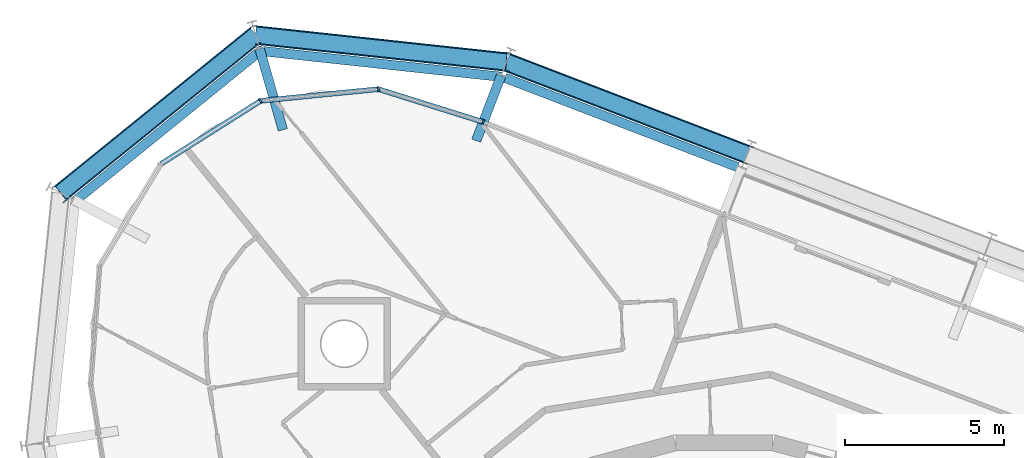
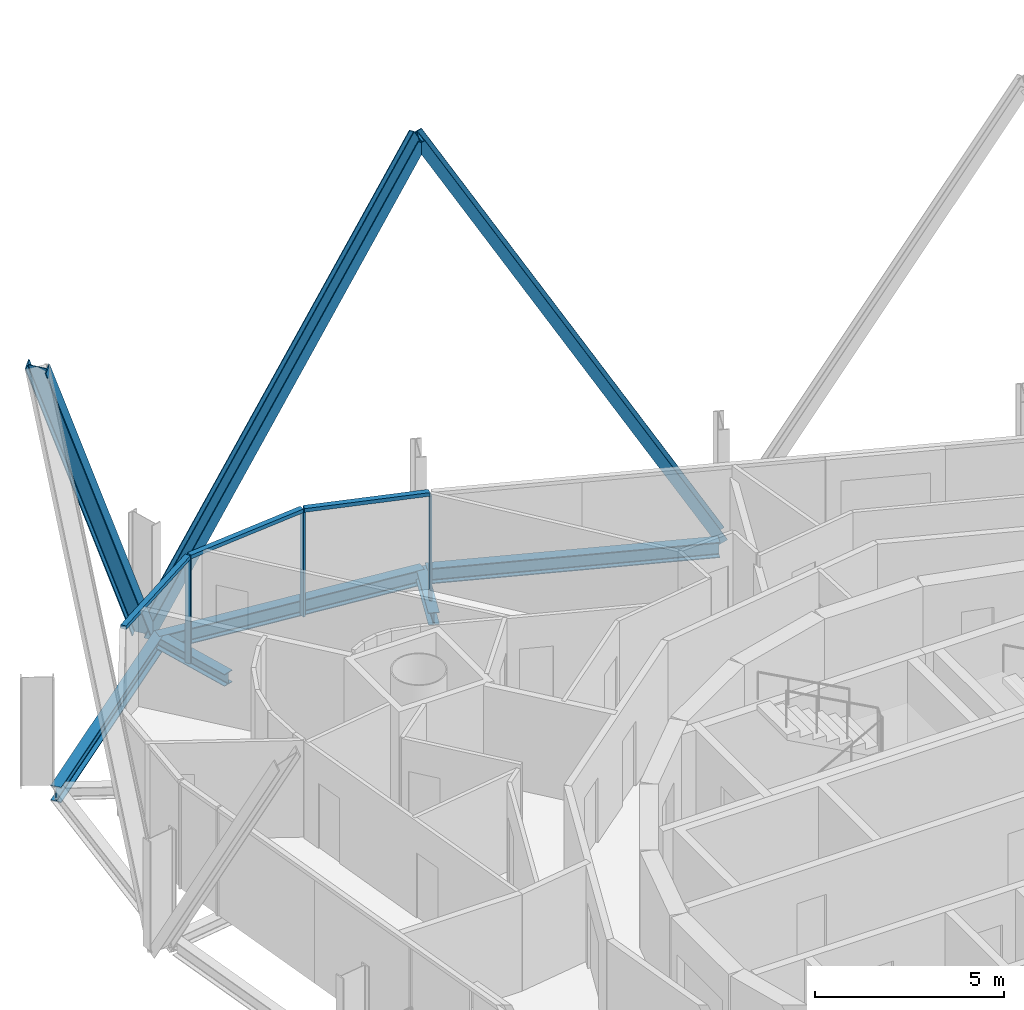
# One storey, part 8 of 18: 9 members, 5 beams, 1 element without a shape of its own.
"""IFC4 building model written with IfcOpenShell, lengths in metres."""

from ifc_helpers import new_model, si_unit, direction, frame, origin, origin_2d, place, context, subcontext, project, spatial, rectangle, i_section, extrude, material, layer, layer_set, material_profile, profile_set, type_object, element, aggregate, save


model = new_model("IFC4")

# Units and contexts
model_context = context("Model", 3, precision=1e-05, world=origin(), true_north=direction((0.0, 1.0)))
body_context = subcontext(model_context, "Body", "Model", "MODEL_VIEW")
ifc_project = project(units=[si_unit("LENGTHUNIT", "METRE"), si_unit("AREAUNIT", "SQUARE_METRE"), si_unit("VOLUMEUNIT", "CUBIC_METRE"), si_unit("PLANEANGLEUNIT", "RADIAN"), si_unit("MASSUNIT", "GRAM", prefix="KILO")], contexts=[model_context])

# Site, building, storey
site_placement = place(None, origin())
site = spatial("IfcSite", under=ifc_project, at=site_placement, CompositionType="ELEMENT")
building_placement = place(site_placement, origin())
building = spatial("IfcBuilding", under=site, at=building_placement, Name="Spindle Arch Residences", CompositionType="ELEMENT")
storey_placement = place(building_placement, frame((0.0, 0.0, 277.39990234375)))
storey = spatial("IfcBuildingStorey", under=building, at=storey_placement, Name="L71", CompositionType="ELEMENT", Elevation=277.39990234375)

# Curtain wall, members
ifc_material_1 = material(Name="Aluminium bronze unitised frame with tinted glass", Category="aluminium")
ifc_layer = layer(ifc_material_1, 0.159912109375)
ifc_layer_set = layer_set([ifc_layer], Name="CW-D corner wall on the fillet arcs")
curtain_wall_type = type_object("IfcCurtainWallType", Name="CW-D corner wall on the fillet arcs", PredefinedType="NOTDEFINED", material=ifc_layer_set)
curtain_wall_placement = place(storey_placement, origin())
curtain_wall = element("IfcCurtainWall", 1, at=curtain_wall_placement, inside=storey, type_object=curtain_wall_type, Name="CW-D L71 run 3", PredefinedType="NOTDEFINED")
ifc_material_2 = material(Name="Aluminium bronze anodised mullion", Category="aluminium")
ifc_material_profile_1 = material_profile(ifc_material_2, rectangle(XDim=0.159912109375, YDim=0.06005859375, at=origin_2d()), Name="MU 60x160")
ifc_profile_set_1 = profile_set([ifc_material_profile_1], Name="Aluminium bronze anodised mullion")
member_type_1 = type_object("IfcMemberType", Name="Bronze mullion 60x160", PredefinedType="MULLION", material=ifc_profile_set_1)
member_1_placement = place(storey_placement, frame((-7.577880859375, 21.73583984375, -0.3798828125), z_axis=(0.0, 0.0, 1.0), x_axis=(-0.298802665594, -0.954314920262, 0.0)))
member_1 = element("IfcMember", 2, at=member_1_placement, type_object=member_type_1, Name="CW-D mullion 00", PredefinedType="MULLION", context=body_context, shape_type="SweptSolid", body=[
    extrude(rectangle(XDim=0.159912109375, YDim=0.06005859375, at=origin_2d()), origin(), (0.0, 0.0, 1.0), 3.3798828125),
])
member_2_placement = place(storey_placement, frame((-10.874755859375, 22.768310546875, -0.3798828125), z_axis=(0.0, 0.0, 1.0), x_axis=(0.098740832762, -0.995113183485, 0.0)))
member_2 = element("IfcMember", 3, at=member_2_placement, type_object=member_type_1, Name="CW-D mullion 01", PredefinedType="MULLION", context=body_context, shape_type="SweptSolid", body=[
    extrude(rectangle(XDim=0.159912109375, YDim=0.06005859375, at=origin_2d()), origin(), (0.0, 0.0, 1.0), 3.3798828125),
])
member_3_placement = place(storey_placement, frame((-14.58349609375, 22.400390625, -0.3798828125), z_axis=(0.0, 0.0, 1.0), x_axis=(0.534844015322, -0.844950814707, 0.0)))
member_3 = element("IfcMember", 4, at=member_3_placement, type_object=member_type_1, Name="CW-D mullion 02", PredefinedType="MULLION", context=body_context, shape_type="SweptSolid", body=[
    extrude(rectangle(XDim=0.159912109375, YDim=0.06005859375, at=origin_2d()), origin(), (0.0, 0.0, 1.0), 3.3798828125),
])
ifc_material_3 = material(Name="Aluminium bronze anodised transom", Category="aluminium")
ifc_material_profile_2 = material_profile(ifc_material_3, rectangle(XDim=0.159912109375, YDim=0.1201171875, at=origin_2d()), Name="TR 120x160")
ifc_profile_set_2 = profile_set([ifc_material_profile_2], Name="Aluminium bronze anodised transom")
member_type_2 = type_object("IfcMemberType", Name="Bronze transom 120x160", PredefinedType="USERDEFINED", material=ifc_profile_set_2)
member_4_placement = place(storey_placement, frame((-7.6064453125, 21.744873046875, 3.06005859375), z_axis=(-0.95431347792, 0.298807272099, 0.0), x_axis=(-0.298807272099, -0.95431347792, 0.0)))
member_4 = element("IfcMember", 5, at=member_4_placement, type_object=member_type_2, Name="CW-D transom 00", ObjectType="TRANSOM", PredefinedType="USERDEFINED", context=body_context, shape_type="SweptSolid", body=[
    extrude(rectangle(XDim=0.159912109375, YDim=0.1201171875, at=origin_2d()), origin(), (0.0, 0.0, 1.0), 3.394775390625),
])
member_5_placement = place(storey_placement, frame((-10.90478515625, 22.765380859375, 3.06005859375), z_axis=(-0.99511271598, -0.098745544182, 0.0), x_axis=(0.098745544182, -0.99511271598, 0.0)))
member_5 = element("IfcMember", 6, at=member_5_placement, type_object=member_type_2, Name="CW-D transom 01", ObjectType="TRANSOM", PredefinedType="USERDEFINED", context=body_context, shape_type="SweptSolid", body=[
    extrude(rectangle(XDim=0.159912109375, YDim=0.1201171875, at=origin_2d()), origin(), (0.0, 0.0, 1.0), 3.66650390625),
])
member_6_placement = place(storey_placement, frame((-14.608642578125, 22.38427734375, 3.06005859375), z_axis=(-0.844958488621, -0.53483189182, 0.0), x_axis=(0.53483189182, -0.844958488621, 0.0)))
member_6 = element("IfcMember", 7, at=member_6_placement, type_object=member_type_2, Name="CW-D transom 02", ObjectType="TRANSOM", PredefinedType="USERDEFINED", context=body_context, shape_type="SweptSolid", body=[
    extrude(rectangle(XDim=0.159912109375, YDim=0.1201171875, at=origin_2d()), origin(), (0.0, 0.0, 1.0), 3.6669921875),
])
aggregate(curtain_wall, [member_1, member_4, member_2, member_5, member_3, member_6])

# Members
ifc_material_4 = material(Name="Steel S460ML, intumescent coating R 240", Category="steel")
ifc_material_profile_3 = material_profile(ifc_material_4, i_section(OverallWidth=0.300048828125, OverallDepth=0.60009765625, WebThickness=0.015380859375, FlangeThickness=0.030029296875, FilletRadius=0.027099609375, at=origin_2d()), Name="HEB 600")
ifc_profile_set_3 = profile_set([ifc_material_profile_3], Name="Steel S460ML, intumescent coating R 240")
member_type_3 = type_object("IfcMemberType", Name="Diagrid diagonal HEB 600", PredefinedType="BRACE", material=ifc_profile_set_3)
member_7_placement = place(storey_placement, frame((0.715087890625, 20.71630859375, -0.6298828125), z_axis=(-0.473598267241, 0.181798309146, 0.861773784736), x_axis=(0.804534587734, -0.308833536387, 0.5072927596)))
element("IfcMember", 8, at=member_7_placement, inside=storey, type_object=member_type_3, Name="Diagrid diagonal 7.2.8", PredefinedType="BRACE", context=body_context, shape_type="SweptSolid", body=[
    extrude(i_section(OverallWidth=0.300048828125, OverallDepth=0.60009765625, WebThickness=0.015380859375, FlangeThickness=0.030029296875, FilletRadius=0.027099609375, at=origin_2d()), origin(), (0.0, 0.0, 1.0), 15.982177734375),
])
member_8_placement = place(storey_placement, frame((-14.7373046875, 24.468994140625, -0.6298828125), z_axis=(0.496052123354, -0.053307552432, 0.866654830812), x_axis=(-0.861693510952, 0.092600696284, 0.49890821223)))
element("IfcMember", 9, at=member_8_placement, inside=storey, type_object=member_type_3, Name="Diagrid diagonal 7.2.9", PredefinedType="BRACE", context=body_context, shape_type="SweptSolid", body=[
    extrude(i_section(OverallWidth=0.300048828125, OverallDepth=0.60009765625, WebThickness=0.015380859375, FlangeThickness=0.030029296875, FilletRadius=0.027099609375, at=origin_2d()), origin(), (0.0, 0.0, 1.0), 15.89208984375),
])
member_9_placement = place(storey_placement, frame((-14.7373046875, 24.468994140625, -0.6298828125), z_axis=(-0.386367155483, -0.312864960664, 0.867661188226), x_axis=(0.67430706413, 0.546027399328, 0.497155973963)))
element("IfcMember", 10, at=member_9_placement, inside=storey, type_object=member_type_3, Name="Diagrid diagonal 7.2.10", PredefinedType="BRACE", context=body_context, shape_type="SweptSolid", body=[
    extrude(i_section(OverallWidth=0.300048828125, OverallDepth=0.60009765625, WebThickness=0.015380859375, FlangeThickness=0.030029296875, FilletRadius=0.027099609375, at=origin_2d()), origin(), (0.0, 0.0, 1.0), 15.87353515625),
])

# Beams
ifc_material_5 = material(Name="Steel S460ML, intumescent coating R 120", Category="steel")
ifc_material_profile_4 = material_profile(ifc_material_5, i_section(OverallWidth=0.300048828125, OverallDepth=0.5, WebThickness=0.014404296875, FlangeThickness=0.028076171875, FilletRadius=0.027099609375, at=origin_2d()), Name="HEB 500")
ifc_profile_set_4 = profile_set([ifc_material_profile_4], Name="Steel S460ML, intumescent coating R 120")
beam_type_1 = type_object("IfcBeamType", Name="Exoskeleton edge beam HEB 500", PredefinedType="BEAM", material=ifc_profile_set_4)
beam_1_placement = place(storey_placement, frame((0.421875, 20.314697265625, -0.6298828125), z_axis=(-0.933573929793, 0.358384873579, 0.0), x_axis=(-0.358384873579, -0.933573929793, 0.0)))
element("IfcBeam", 11, at=beam_1_placement, inside=storey, type_object=beam_type_1, Name="Exoskeleton edge beam 8", PredefinedType="BEAM", context=body_context, shape_type="SweptSolid", body=[
    extrude(i_section(OverallWidth=0.300048828125, OverallDepth=0.5, WebThickness=0.014404296875, FlangeThickness=0.028076171875, FilletRadius=0.027099609375, at=origin_2d()), origin(), (0.0, 0.0, 1.0), 7.84765625),
])
beam_2_placement = place(storey_placement, frame((-7.004150390625, 23.156005859375, -0.6298828125), z_axis=(-0.994272602523, 0.106873719275, 0.0), x_axis=(-0.106873719275, -0.994272602523, 0.0)))
element("IfcBeam", 12, at=beam_2_placement, inside=storey, type_object=beam_type_1, Name="Exoskeleton edge beam 9", PredefinedType="BEAM", context=body_context, shape_type="SweptSolid", body=[
    extrude(i_section(OverallWidth=0.300048828125, OverallDepth=0.5, WebThickness=0.014404296875, FlangeThickness=0.028076171875, FilletRadius=0.027099609375, at=origin_2d()), origin(), (0.0, 0.0, 1.0), 7.668701171875),
])
beam_3_placement = place(storey_placement, frame((-14.536376953125, 24.014404296875, -0.6298828125), z_axis=(-0.777131622496, -0.62933809778, 0.0), x_axis=(0.62933809778, -0.777131622496, 0.0)))
element("IfcBeam", 13, at=beam_3_placement, inside=storey, type_object=beam_type_1, Name="Exoskeleton edge beam 10", PredefinedType="BEAM", context=body_context, shape_type="SweptSolid", body=[
    extrude(i_section(OverallWidth=0.300048828125, OverallDepth=0.5, WebThickness=0.014404296875, FlangeThickness=0.028076171875, FilletRadius=0.027099609375, at=origin_2d()), origin(), (0.0, 0.0, 1.0), 7.6318359375),
])
ifc_material_6 = material(Name="Steel S460ML, intumescent coating R 120", Category="steel")
ifc_material_profile_5 = material_profile(ifc_material_6, i_section(OverallWidth=0.300048828125, OverallDepth=0.389892578125, WebThickness=0.010986328125, FlangeThickness=0.01904296875, FilletRadius=0.027099609375, at=origin_2d()), Name="HEA 400")
ifc_profile_set_5 = profile_set([ifc_material_profile_5], Name="Steel S460ML, intumescent coating R 120")
beam_type_2 = type_object("IfcBeamType", Name="Floor outrigger HEA 400", PredefinedType="BEAM", material=ifc_profile_set_5)
beam_4_placement = place(storey_placement, frame((-7.01513671875, 23.20166015625, -0.574951171875), z_axis=(-0.358391076308, -0.933571548636, 0.0), x_axis=(0.933571548636, -0.358391076308, 0.0)))
element("IfcBeam", 14, at=beam_4_placement, inside=storey, type_object=beam_type_2, Name="Floor outrigger 9", PredefinedType="BEAM", context=body_context, shape_type="SweptSolid", body=[
    extrude(i_section(OverallWidth=0.300048828125, OverallDepth=0.389892578125, WebThickness=0.010986328125, FlangeThickness=0.01904296875, FilletRadius=0.027099609375, at=origin_2d()), origin(), (0.0, 0.0, 1.0), 2.1982421875),
])
beam_5_placement = place(storey_placement, frame((-14.61328125, 24.03662109375, -0.574951171875), z_axis=(0.275730877709, -0.961234874044, 0.0), x_axis=(0.961234874044, 0.275730877709, 0.0)))
element("IfcBeam", 15, at=beam_5_placement, inside=storey, type_object=beam_type_2, Name="Floor outrigger 10", PredefinedType="BEAM", context=body_context, shape_type="SweptSolid", body=[
    extrude(i_section(OverallWidth=0.300048828125, OverallDepth=0.389892578125, WebThickness=0.010986328125, FlangeThickness=0.01904296875, FilletRadius=0.027099609375, at=origin_2d()), origin(), (0.0, 0.0, 1.0), 2.650146484375),
])

save(model, "model.ifc")
